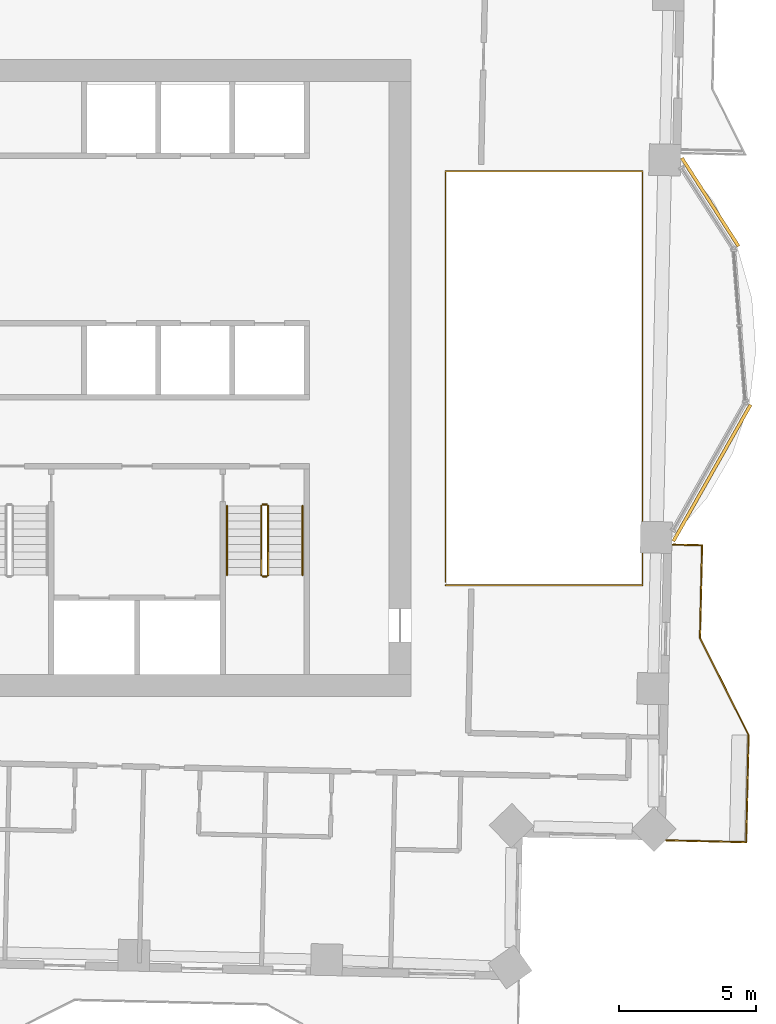
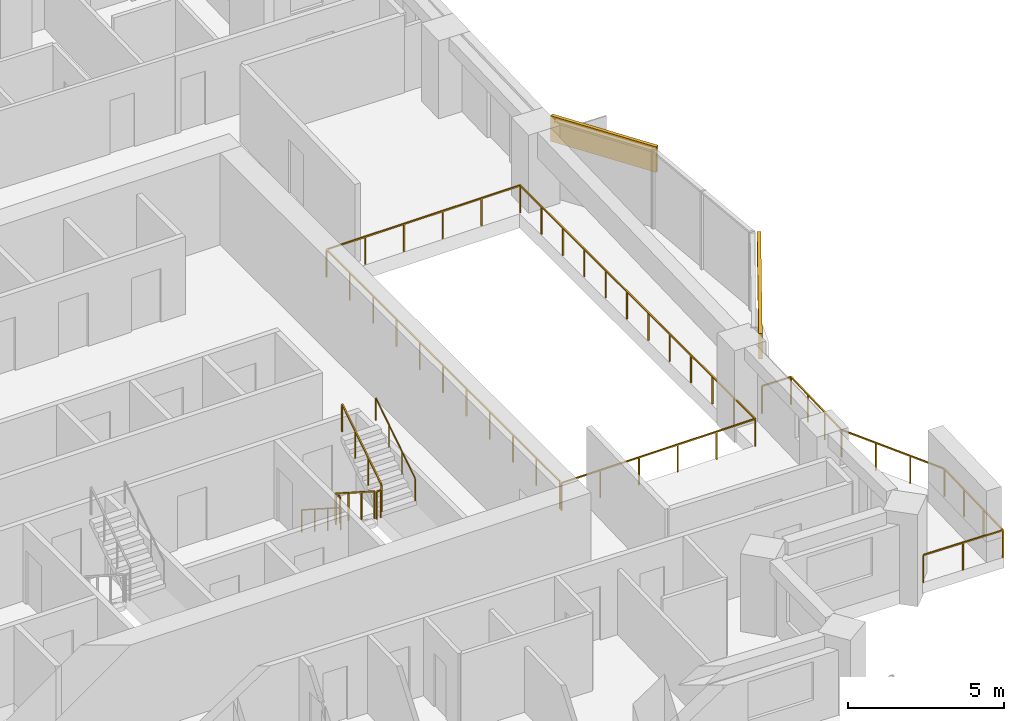
# One storey, part 15 of 16: 8 railings, 2 coverings.
"""IFC4 building model written with IfcOpenShell, lengths in metres."""

from ifc_helpers import new_model, si_unit, direction, frame, frame_2d, origin, origin_2d, place, context, subcontext, project, spatial, rectangle, circle, extrude, material, layer, layer_set, type_object, element, save


model = new_model("IFC4")

# Units and contexts
model_context = context("Model", 3, precision=1e-05, world=origin(), true_north=direction((0.0, 1.0)))
body_context = subcontext(model_context, "Body", "Model", "MODEL_VIEW")
ifc_project = project(units=[si_unit("LENGTHUNIT", "METRE"), si_unit("AREAUNIT", "SQUARE_METRE"), si_unit("VOLUMEUNIT", "CUBIC_METRE"), si_unit("PLANEANGLEUNIT", "RADIAN"), si_unit("MASSUNIT", "GRAM", prefix="KILO")], contexts=[model_context])

# Site, building, storey
site_placement = place(None, origin())
site = spatial("IfcSite", under=ifc_project, at=site_placement, CompositionType="ELEMENT")
building_placement = place(site_placement, origin())
building = spatial("IfcBuilding", under=site, at=building_placement, Name="Mangrove Gate Tower", CompositionType="ELEMENT")
storey_placement = place(building_placement, frame((0.0, 0.0, 201.5)))
storey = spatial("IfcBuildingStorey", under=building, at=storey_placement, Name="L51", CompositionType="ELEMENT", Elevation=201.5)

# Railings
ifc_material_1 = material(Name="Stainless steel grade 316 with laminated glass infill", Category="steel")
railing_type_1 = type_object("IfcRailingType", Name="Balcony guard 1100", PredefinedType="GUARDRAIL", material=ifc_material_1)
railing_1_placement = place(storey_placement, frame((23.89892578125, -16.8330078125, 0.0)))
element("IfcRailing", 1, at=railing_1_placement, inside=storey, type_object=railing_type_1, Name="GUARD L51 E1", PredefinedType="GUARDRAIL", context=body_context, shape_type="SweptSolid", body=[
    extrude(rectangle(XDim=0.048095703125, YDim=0.048095703125, at=origin_2d()), frame((0.0, 0.0, 1.076171875), z_axis=(0.999743392495, -0.022652795902, 0.0), x_axis=(0.022652795902, 0.999743392495, 0.0)), (0.0, 0.0, 1.0), 2.909912109375),
    extrude(rectangle(XDim=0.048095703125, YDim=0.048095703125, at=origin_2d()), frame((2.9091796875, -0.06591796875, 1.076171875), z_axis=(0.022786818173, 0.999740346749, 0.0), x_axis=(-0.999740346749, 0.022786818173, 0.0)), (0.0, 0.0, 1.0), 3.89990234375),
    extrude(rectangle(XDim=0.048095703125, YDim=0.048095703125, at=origin_2d()), frame((2.998046875, 3.8330078125, 1.076171875), z_axis=(-0.447114919141, 0.894476522376, 0.0), x_axis=(-0.894476522376, -0.447114919141, 0.0)), (0.0, 0.0, 1.0), 3.958740234375),
    extrude(rectangle(XDim=0.048095703125, YDim=0.048095703125, at=origin_2d()), frame((1.22802734375, 7.3740234375, 1.076171875), z_axis=(0.022497922048, 0.999746889719, 0.0), x_axis=(-0.999746889719, 0.022497922048, 0.0)), (0.0, 0.0, 1.0), 3.374755859375),
    extrude(rectangle(XDim=0.048095703125, YDim=0.048095703125, at=origin_2d()), frame((1.303955078125, 10.748046875, 1.076171875), z_axis=(-0.999744802133, 0.022590498181, 0.0), x_axis=(-0.022590498181, -0.999744802133, 0.0)), (0.0, 0.0, 1.0), 1.05908203125),
    extrude(rectangle(XDim=0.0419921875, YDim=0.0419921875, at=origin_2d()), origin(), (0.0, 0.0, 1.0), 1.052001953125),
    extrude(rectangle(XDim=0.0419921875, YDim=0.0419921875, at=origin_2d()), frame((1.45458984375, -0.032958984375, 0.0)), (0.0, 0.0, 1.0), 1.052001953125),
    extrude(rectangle(XDim=0.0419921875, YDim=0.0419921875, at=origin_2d()), frame((2.9091796875, -0.06591796875, 0.0)), (0.0, 0.0, 1.0), 1.052001953125),
    extrude(rectangle(XDim=0.0419921875, YDim=0.0419921875, at=origin_2d()), frame((2.938720703125, 1.233642578125, 0.0)), (0.0, 0.0, 1.0), 1.052001953125),
    extrude(rectangle(XDim=0.0419921875, YDim=0.0419921875, at=origin_2d()), frame((2.968505859375, 2.533447265625, 0.0)), (0.0, 0.0, 1.0), 1.052001953125),
    extrude(rectangle(XDim=0.0419921875, YDim=0.0419921875, at=origin_2d()), frame((2.998046875, 3.8330078125, 0.0)), (0.0, 0.0, 1.0), 1.052001953125),
    extrude(rectangle(XDim=0.0419921875, YDim=0.0419921875, at=origin_2d()), frame((2.407958984375, 5.013427734375, 0.0)), (0.0, 0.0, 1.0), 1.052001953125),
    extrude(rectangle(XDim=0.0419921875, YDim=0.0419921875, at=origin_2d()), frame((1.818115234375, 6.193603515625, 0.0)), (0.0, 0.0, 1.0), 1.052001953125),
    extrude(rectangle(XDim=0.0419921875, YDim=0.0419921875, at=origin_2d()), frame((1.22802734375, 7.3740234375, 0.0)), (0.0, 0.0, 1.0), 1.052001953125),
    extrude(rectangle(XDim=0.0419921875, YDim=0.0419921875, at=origin_2d()), frame((1.25341796875, 8.498779296875, 0.0)), (0.0, 0.0, 1.0), 1.052001953125),
    extrude(rectangle(XDim=0.0419921875, YDim=0.0419921875, at=origin_2d()), frame((1.278564453125, 9.623291015625, 0.0)), (0.0, 0.0, 1.0), 1.052001953125),
    extrude(rectangle(XDim=0.0419921875, YDim=0.0419921875, at=origin_2d()), frame((1.303955078125, 10.748046875, 0.0)), (0.0, 0.0, 1.0), 1.052001953125),
    extrude(rectangle(XDim=0.0419921875, YDim=0.0419921875, at=origin_2d()), frame((0.2451171875, 10.77197265625, 0.0)), (0.0, 0.0, 1.0), 1.052001953125),
])
railing_2_placement = place(storey_placement, frame((15.860107421875, -7.5400390625, 0.0)))
element("IfcRailing", 2, at=railing_2_placement, inside=storey, type_object=railing_type_1, Name="GUARD L51 atrium", PredefinedType="GUARDRAIL", context=body_context, shape_type="SweptSolid", body=[
    extrude(rectangle(XDim=0.048095703125, YDim=0.048095703125, at=origin_2d()), frame((0.0, 0.0, 1.076171875), z_axis=(1.0, 0.0, 0.0), x_axis=(0.0, 1.0, 0.0)), (0.0, 0.0, 1.0), 7.1748046875),
    extrude(rectangle(XDim=0.048095703125, YDim=0.048095703125, at=origin_2d()), frame((7.1748046875, 0.0, 1.076171875), z_axis=(0.0, 1.0, 0.0), x_axis=(-1.0, 0.0, 0.0)), (0.0, 0.0, 1.0), 15.080078125),
    extrude(rectangle(XDim=0.048095703125, YDim=0.048095703125, at=origin_2d()), frame((7.1748046875, 15.080078125, 1.076171875), z_axis=(-1.0, 0.0, 0.0), x_axis=(0.0, -1.0, 0.0)), (0.0, 0.0, 1.0), 7.1748046875),
    extrude(rectangle(XDim=0.048095703125, YDim=0.048095703125, at=origin_2d()), frame((0.0, 15.080078125, 1.076171875), z_axis=(0.0, -1.0, 0.0), x_axis=(1.0, 0.0, 0.0)), (0.0, 0.0, 1.0), 14.9599609375),
    extrude(rectangle(XDim=0.0419921875, YDim=0.0419921875, at=origin_2d()), origin(), (0.0, 0.0, 1.0), 1.052001953125),
    extrude(rectangle(XDim=0.0419921875, YDim=0.0419921875, at=origin_2d()), frame((1.43505859375, 0.0, 0.0)), (0.0, 0.0, 1.0), 1.052001953125),
    extrude(rectangle(XDim=0.0419921875, YDim=0.0419921875, at=origin_2d()), frame((2.869873046875, 0.0, 0.0)), (0.0, 0.0, 1.0), 1.052001953125),
    extrude(rectangle(XDim=0.0419921875, YDim=0.0419921875, at=origin_2d()), frame((4.304931640625, 0.0, 0.0)), (0.0, 0.0, 1.0), 1.052001953125),
    extrude(rectangle(XDim=0.0419921875, YDim=0.0419921875, at=origin_2d()), frame((5.73974609375, 0.0, 0.0)), (0.0, 0.0, 1.0), 1.052001953125),
    extrude(rectangle(XDim=0.0419921875, YDim=0.0419921875, at=origin_2d()), frame((7.1748046875, 0.0, 0.0)), (0.0, 0.0, 1.0), 1.052001953125),
    extrude(rectangle(XDim=0.0419921875, YDim=0.0419921875, at=origin_2d()), frame((7.1748046875, 1.370849609375, 0.0)), (0.0, 0.0, 1.0), 1.052001953125),
    extrude(rectangle(XDim=0.0419921875, YDim=0.0419921875, at=origin_2d()), frame((7.1748046875, 2.741943359375, 0.0)), (0.0, 0.0, 1.0), 1.052001953125),
    extrude(rectangle(XDim=0.0419921875, YDim=0.0419921875, at=origin_2d()), frame((7.1748046875, 4.11279296875, 0.0)), (0.0, 0.0, 1.0), 1.052001953125),
    extrude(rectangle(XDim=0.0419921875, YDim=0.0419921875, at=origin_2d()), frame((7.1748046875, 5.483642578125, 0.0)), (0.0, 0.0, 1.0), 1.052001953125),
    extrude(rectangle(XDim=0.0419921875, YDim=0.0419921875, at=origin_2d()), frame((7.1748046875, 6.8544921875, 0.0)), (0.0, 0.0, 1.0), 1.052001953125),
    extrude(rectangle(XDim=0.0419921875, YDim=0.0419921875, at=origin_2d()), frame((7.1748046875, 8.2255859375, 0.0)), (0.0, 0.0, 1.0), 1.052001953125),
    extrude(rectangle(XDim=0.0419921875, YDim=0.0419921875, at=origin_2d()), frame((7.1748046875, 9.596435546875, 0.0)), (0.0, 0.0, 1.0), 1.052001953125),
    extrude(rectangle(XDim=0.0419921875, YDim=0.0419921875, at=origin_2d()), frame((7.1748046875, 10.96728515625, 0.0)), (0.0, 0.0, 1.0), 1.052001953125),
    extrude(rectangle(XDim=0.0419921875, YDim=0.0419921875, at=origin_2d()), frame((7.1748046875, 12.338134765625, 0.0)), (0.0, 0.0, 1.0), 1.052001953125),
    extrude(rectangle(XDim=0.0419921875, YDim=0.0419921875, at=origin_2d()), frame((7.1748046875, 13.709228515625, 0.0)), (0.0, 0.0, 1.0), 1.052001953125),
    extrude(rectangle(XDim=0.0419921875, YDim=0.0419921875, at=origin_2d()), frame((7.1748046875, 15.080078125, 0.0)), (0.0, 0.0, 1.0), 1.052001953125),
    extrude(rectangle(XDim=0.0419921875, YDim=0.0419921875, at=origin_2d()), frame((5.73974609375, 15.080078125, 0.0)), (0.0, 0.0, 1.0), 1.052001953125),
    extrude(rectangle(XDim=0.0419921875, YDim=0.0419921875, at=origin_2d()), frame((4.304931640625, 15.080078125, 0.0)), (0.0, 0.0, 1.0), 1.052001953125),
    extrude(rectangle(XDim=0.0419921875, YDim=0.0419921875, at=origin_2d()), frame((2.869873046875, 15.080078125, 0.0)), (0.0, 0.0, 1.0), 1.052001953125),
    extrude(rectangle(XDim=0.0419921875, YDim=0.0419921875, at=origin_2d()), frame((1.43505859375, 15.080078125, 0.0)), (0.0, 0.0, 1.0), 1.052001953125),
    extrude(rectangle(XDim=0.0419921875, YDim=0.0419921875, at=origin_2d()), frame((0.0, 15.080078125, 0.0)), (0.0, 0.0, 1.0), 1.052001953125),
    extrude(rectangle(XDim=0.0419921875, YDim=0.0419921875, at=origin_2d()), frame((0.0, 13.583984375, 0.0)), (0.0, 0.0, 1.0), 1.052001953125),
    extrude(rectangle(XDim=0.0419921875, YDim=0.0419921875, at=origin_2d()), frame((0.0, 12.088134765625, 0.0)), (0.0, 0.0, 1.0), 1.052001953125),
    extrude(rectangle(XDim=0.0419921875, YDim=0.0419921875, at=origin_2d()), frame((0.0, 10.592041015625, 0.0)), (0.0, 0.0, 1.0), 1.052001953125),
    extrude(rectangle(XDim=0.0419921875, YDim=0.0419921875, at=origin_2d()), frame((0.0, 9.09619140625, 0.0)), (0.0, 0.0, 1.0), 1.052001953125),
    extrude(rectangle(XDim=0.0419921875, YDim=0.0419921875, at=origin_2d()), frame((0.0, 7.60009765625, 0.0)), (0.0, 0.0, 1.0), 1.052001953125),
    extrude(rectangle(XDim=0.0419921875, YDim=0.0419921875, at=origin_2d()), frame((0.0, 6.10400390625, 0.0)), (0.0, 0.0, 1.0), 1.052001953125),
    extrude(rectangle(XDim=0.0419921875, YDim=0.0419921875, at=origin_2d()), frame((0.0, 4.608154296875, 0.0)), (0.0, 0.0, 1.0), 1.052001953125),
    extrude(rectangle(XDim=0.0419921875, YDim=0.0419921875, at=origin_2d()), frame((0.0, 3.112060546875, 0.0)), (0.0, 0.0, 1.0), 1.052001953125),
    extrude(rectangle(XDim=0.0419921875, YDim=0.0419921875, at=origin_2d()), frame((0.0, 1.6162109375, 0.0)), (0.0, 0.0, 1.0), 1.052001953125),
    extrude(rectangle(XDim=0.0419921875, YDim=0.0419921875, at=origin_2d()), frame((0.0, 0.1201171875, 0.0)), (0.0, 0.0, 1.0), 1.052001953125),
])
ifc_material_2 = material(Name="Stainless steel 316", Category="steel")
railing_type_2 = type_object("IfcRailingType", Name="Core stair guard 1100", PredefinedType="GUARDRAIL", material=ifc_material_2)
railing_3_placement = place(storey_placement, frame((9.14990234375, -4.64990234375, 0.179931640625)))
element("IfcRailing", 3, at=railing_3_placement, inside=storey, type_object=railing_type_2, Name="L51 ST3 stair guard 1", PredefinedType="GUARDRAIL", context=body_context, shape_type="SweptSolid", body=[
    extrude(rectangle(XDim=0.048095703125, YDim=0.048095703125, at=origin_2d()), frame((0.0, 0.0, 1.076171875), z_axis=(0.0, -0.841162588446, 0.540782303519), x_axis=(1.0, 0.0, 0.0)), (0.0, 0.0, 1.0), 2.995849609375),
    extrude(rectangle(XDim=0.0419921875, YDim=0.0419921875, at=origin_2d()), origin(), (0.0, 0.0, 1.0), 1.052001953125),
    extrude(rectangle(XDim=0.0419921875, YDim=0.0419921875, at=origin_2d()), frame((0.0, -0.840087890625, 0.5400390625)), (0.0, 0.0, 1.0), 1.052001953125),
    extrude(rectangle(XDim=0.0419921875, YDim=0.0419921875, at=origin_2d()), frame((0.0, -1.679931640625, 1.080078125)), (0.0, 0.0, 1.0), 1.052001953125),
    extrude(rectangle(XDim=0.0419921875, YDim=0.0419921875, at=origin_2d()), frame((0.0, -2.52001953125, 1.6201171875)), (0.0, 0.0, 1.0), 1.052001953125),
])
railing_4_placement = place(storey_placement, frame((9.199951171875, -7.219970703125, 1.800048828125)))
element("IfcRailing", 4, at=railing_4_placement, inside=storey, type_object=railing_type_2, Name="L51 ST3 stair guard 2", PredefinedType="GUARDRAIL", context=body_context, shape_type="SweptSolid", body=[
    extrude(rectangle(XDim=0.048095703125, YDim=0.048095703125, at=origin_2d()), frame((0.0, 0.0, 1.076171875), z_axis=(1.0, 0.0, 0.0), x_axis=(0.0, 1.0, 0.0)), (0.0, 0.0, 1.0), 0.150146484375),
    extrude(rectangle(XDim=0.0419921875, YDim=0.0419921875, at=origin_2d()), origin(), (0.0, 0.0, 1.0), 1.052001953125),
    extrude(rectangle(XDim=0.0419921875, YDim=0.0419921875, at=origin_2d()), frame((0.150146484375, 0.0, 0.0)), (0.0, 0.0, 1.0), 1.052001953125),
])
railing_5_placement = place(storey_placement, frame((9.39990234375, -7.169921875, 1.97998046875)))
element("IfcRailing", 5, at=railing_5_placement, inside=storey, type_object=railing_type_2, Name="L51 ST3 stair guard 3", PredefinedType="GUARDRAIL", context=body_context, shape_type="SweptSolid", body=[
    extrude(rectangle(XDim=0.048095703125, YDim=0.048095703125, at=origin_2d()), frame((0.0, 0.0, 1.076171875), z_axis=(0.0, 0.841162588446, 0.540782303519), x_axis=(-1.0, 0.0, 0.0)), (0.0, 0.0, 1.0), 2.995849609375),
    extrude(rectangle(XDim=0.0419921875, YDim=0.0419921875, at=origin_2d()), origin(), (0.0, 0.0, 1.0), 1.052001953125),
    extrude(rectangle(XDim=0.0419921875, YDim=0.0419921875, at=origin_2d()), frame((0.0, 0.840087890625, 0.5400390625)), (0.0, 0.0, 1.0), 1.052001953125),
    extrude(rectangle(XDim=0.0419921875, YDim=0.0419921875, at=origin_2d()), frame((0.0, 1.679931640625, 1.080078125)), (0.0, 0.0, 1.0), 1.052001953125),
    extrude(rectangle(XDim=0.0419921875, YDim=0.0419921875, at=origin_2d()), frame((0.0, 2.52001953125, 1.6201171875)), (0.0, 0.0, 1.0), 1.052001953125),
])
railing_6_placement = place(storey_placement, frame((9.199951171875, -4.60009765625, 0.0)))
element("IfcRailing", 6, at=railing_6_placement, inside=storey, type_object=railing_type_2, Name="L51 ST3 stair guard 4", PredefinedType="GUARDRAIL", context=body_context, shape_type="SweptSolid", body=[
    extrude(rectangle(XDim=0.048095703125, YDim=0.048095703125, at=origin_2d()), frame((0.0, 0.0, 1.076171875), z_axis=(1.0, 0.0, 0.0), x_axis=(0.0, 1.0, 0.0)), (0.0, 0.0, 1.0), 0.150146484375),
    extrude(rectangle(XDim=0.0419921875, YDim=0.0419921875, at=origin_2d()), origin(), (0.0, 0.0, 1.0), 1.052001953125),
    extrude(rectangle(XDim=0.0419921875, YDim=0.0419921875, at=origin_2d()), frame((0.150146484375, 0.0, 0.0)), (0.0, 0.0, 1.0), 1.052001953125),
])
ifc_material_3 = material(Name="Stainless steel 316", Category="steel")
railing_type_3 = type_object("IfcRailingType", Name="Core stair handrail 900", PredefinedType="HANDRAIL", material=ifc_material_3)
railing_7_placement = place(storey_placement, frame((7.89990234375, -4.64990234375, 0.179931640625)))
element("IfcRailing", 7, at=railing_7_placement, inside=storey, type_object=railing_type_3, Name="L51 ST3 stair handrail 1", PredefinedType="HANDRAIL", context=body_context, shape_type="SweptSolid", body=[
    extrude(circle(Radius=0.02392578125, at=origin_2d()), frame((0.0, 0.0, 0.8759765625), z_axis=(0.0, -0.841162588446, 0.540782303519), x_axis=(1.0, 0.0, 0.0)), (0.0, 0.0, 1.0), 2.995849609375),
    extrude(circle(Radius=0.02099609375, at=origin_2d()), origin(), (0.0, 0.0, 1.0), 0.851806640625),
    extrude(circle(Radius=0.02099609375, at=origin_2d()), frame((0.0, -0.840087890625, 0.5400390625)), (0.0, 0.0, 1.0), 0.851806640625),
    extrude(circle(Radius=0.02099609375, at=origin_2d()), frame((0.0, -1.679931640625, 1.080078125)), (0.0, 0.0, 1.0), 0.851806640625),
    extrude(circle(Radius=0.02099609375, at=origin_2d()), frame((0.0, -2.52001953125, 1.6201171875)), (0.0, 0.0, 1.0), 0.851806640625),
])
railing_8_placement = place(storey_placement, frame((10.64990234375, -7.169921875, 1.97998046875)))
element("IfcRailing", 8, at=railing_8_placement, inside=storey, type_object=railing_type_3, Name="L51 ST3 stair handrail 2", PredefinedType="HANDRAIL", context=body_context, shape_type="SweptSolid", body=[
    extrude(circle(Radius=0.02392578125, at=origin_2d()), frame((0.0, 0.0, 0.8759765625), z_axis=(0.0, 0.841162588446, 0.540782303519), x_axis=(-1.0, 0.0, 0.0)), (0.0, 0.0, 1.0), 2.995849609375),
    extrude(circle(Radius=0.02099609375, at=origin_2d()), origin(), (0.0, 0.0, 1.0), 0.851806640625),
    extrude(circle(Radius=0.02099609375, at=origin_2d()), frame((0.0, 0.840087890625, 0.5400390625)), (0.0, 0.0, 1.0), 0.851806640625),
    extrude(circle(Radius=0.02099609375, at=origin_2d()), frame((0.0, 1.679931640625, 1.080078125)), (0.0, 0.0, 1.0), 0.851806640625),
    extrude(circle(Radius=0.02099609375, at=origin_2d()), frame((0.0, 2.52001953125, 1.6201171875)), (0.0, 0.0, 1.0), 0.851806640625),
])

# Coverings
ifc_material_4 = material(Name="Limestone", Category="masonry")
ifc_layer_1 = layer(ifc_material_4, 0.0400390625, Name="Limestone cladding")
ifc_material_5 = material(Name="Stainless steel anchors and cavity", Category="steel")
ifc_layer_2 = layer(ifc_material_5, 0.080078125, Name="Fixing cavity")
ifc_layer_set = layer_set([ifc_layer_1, ifc_layer_2], Name="Joint fascia cladding 120")
covering_type = type_object("IfcCoveringType", Name="Joint fascia cladding 120", PredefinedType="CLADDING", material=ifc_layer_set)
covering_1_placement = place(storey_placement, frame((24.156982421875, -5.93603515625, 2.050048828125), z_axis=(0.0, 0.0, 1.0), x_axis=(0.492549299416, 0.870284544069, 0.0)))
element("IfcCovering", 9, at=covering_1_placement, inside=storey, type_object=covering_type, Name="STONE FASCIA L51 E1.L1", PredefinedType="CLADDING", context=body_context, shape_type="SweptSolid", body=[
    extrude(rectangle(XDim=5.705078125, YDim=0.1201171875, at=frame_2d((2.8525390625, 0.0))), origin(), (0.0, 0.0, 1.0), 1.0),
])
covering_2_placement = place(storey_placement, frame((26.531005859375, 4.802001953125, 2.050048828125), z_axis=(0.0, 0.0, 1.0), x_axis=(-0.540340805768, 0.841446263063, 0.0)))
element("IfcCovering", 10, at=covering_2_placement, inside=storey, type_object=covering_type, Name="STONE FASCIA L51 E1.L2", PredefinedType="CLADDING", context=body_context, shape_type="SweptSolid", body=[
    extrude(rectangle(XDim=3.81982421875, YDim=0.1201171875, at=frame_2d((1.909912109375, 0.0))), origin(), (0.0, 0.0, 1.0), 1.0),
])

save(model, "model.ifc")
